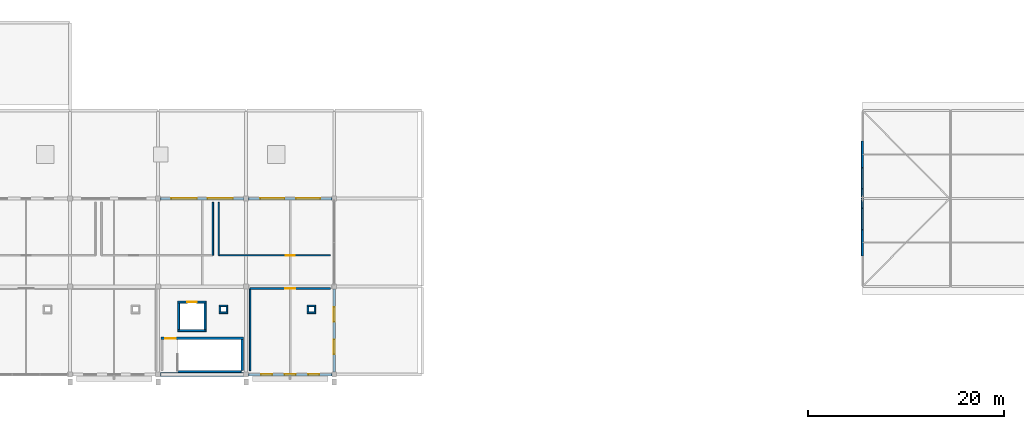
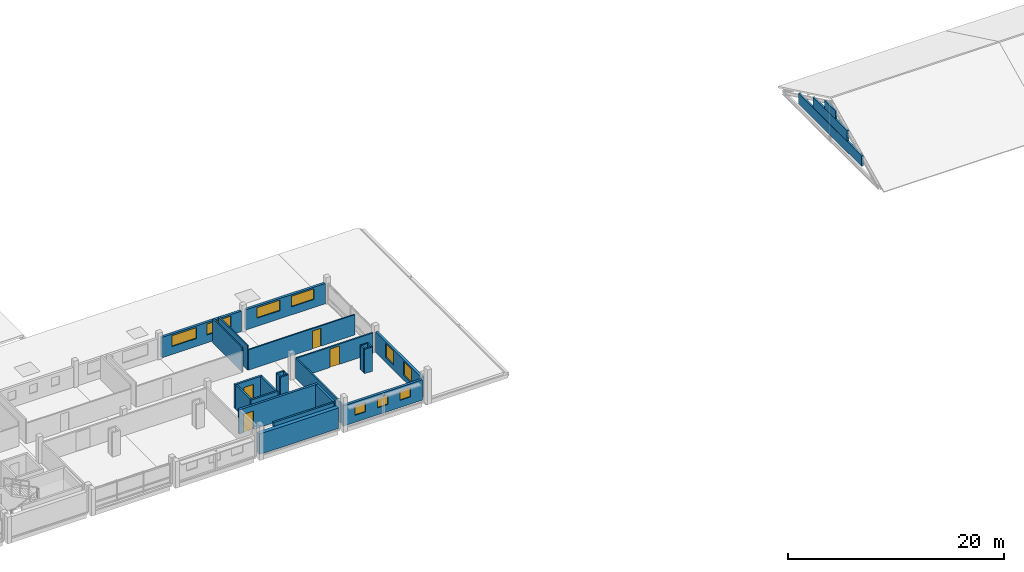
# One storey, part 21 of 25: 28 walls, 9 windows, 4 doors, 13 openings.
"""IFC4 building model written with IfcOpenShell, lengths in metres."""

import ifcopenshell
import ifcopenshell.guid

model = None  # the IFC model being written
_history = None  # IfcOwnerHistory: only IFC2X3 demands one
_inside = {}  # id of a spatial element -> (the spatial element, [elements in it])
_under = {}  # id of a project, library or spatial element -> (it, [spatial elements below it])
_declared = {}  # id of a project -> (the project, [libraries it declares])
_typed = {}  # id of a type object -> (the type object, [elements of that type])
_made_of = {}  # id of a material, layer set ... -> (it, [elements and type objects made of it])


def new_model(schema):
    """Start an empty IFC model of exactly this schema.

    Asked for "IFC4X3", IfcOpenShell would pick the latest addendum, in which some entities
    have other attributes; the version numbers below select the first issue.
    IFC2X3 requires an IfcOwnerHistory on every rooted entity: one is made here for all.
    """
    global model, _history
    if schema == "IFC4X3":
        model = ifcopenshell.file(schema_version=(4, 3, 0, 0))
    else:
        model = ifcopenshell.file(schema=schema)
    _inside.clear()
    _under.clear()
    _declared.clear()
    _typed.clear()
    _made_of.clear()
    _history = None
    if model.schema == "IFC2X3":
        org = make("IfcOrganization", Name="unknown")
        user = make(
            "IfcPersonAndOrganization",
            ThePerson=make("IfcPerson", FamilyName="unknown"),
            TheOrganization=org,
        )
        app = make(
            "IfcApplication",
            ApplicationDeveloper=org,
            Version="unknown",
            ApplicationFullName="unknown",
            ApplicationIdentifier="unknown",
        )
        _history = make(
            "IfcOwnerHistory",
            OwningUser=user,
            OwningApplication=app,
            ChangeAction="ADDED",
            CreationDate=0,
        )
    return model


def make(cls, **values):
    """One entity of the class cls with the attributes given. An attribute that is None is left unset."""
    return model.create_entity(
        cls, **{name: value for name, value in values.items() if value is not None}
    )


def rooted(cls, **values):
    """An entity with a GlobalId (a new one), such as an element, a storey or a relation."""
    return make(cls, GlobalId=ifcopenshell.guid.new(), OwnerHistory=_history, **values)


def si_unit(unit_type, name, prefix=None):
    """IfcSIUnit, for example si_unit("LENGTHUNIT", "METRE", prefix="MILLI")."""
    return make("IfcSIUnit", UnitType=unit_type, Prefix=prefix, Name=name)


def assignment(units):
    """IfcUnitAssignment: the units of a project."""
    return None if units is None else make("IfcUnitAssignment", Units=units)


def point(xyz):
    """IfcCartesianPoint."""
    return None if xyz is None else make("IfcCartesianPoint", Coordinates=xyz)


def direction(xyz):
    """IfcDirection."""
    return None if xyz is None else make("IfcDirection", DirectionRatios=xyz)


def frame(location, z_axis=None, x_axis=None):
    """IfcAxis2Placement3D, a coordinate frame: its origin and axes. An axis left out is left unset."""
    return make(
        "IfcAxis2Placement3D",
        Location=point(location),
        Axis=direction(z_axis),
        RefDirection=direction(x_axis),
    )


def frame_2d(location, x_axis=None):
    """IfcAxis2Placement2D, a coordinate frame in the plane: its origin and x axis."""
    return make(
        "IfcAxis2Placement2D", Location=point(location), RefDirection=direction(x_axis)
    )


def origin():
    """The frame at (0, 0, 0) with its axes left unset."""
    return frame((0.0, 0.0, 0.0))


def place(relative_to, where):
    """IfcLocalPlacement: puts the frame where relative to a parent placement (None: the world)."""
    return make(
        "IfcLocalPlacement", PlacementRelTo=relative_to, RelativePlacement=where
    )


def context(
    kind, dimensions, precision=None, world=None, true_north=None, identifier=None
):
    """IfcGeometricRepresentationContext, for example the 3D "Model" context."""
    return make(
        "IfcGeometricRepresentationContext",
        ContextIdentifier=identifier,
        ContextType=kind,
        CoordinateSpaceDimension=dimensions,
        Precision=precision,
        WorldCoordinateSystem=world,
        TrueNorth=true_north,
    )


def subcontext(parent, identifier, kind, view, scale=None):
    """IfcGeometricRepresentationSubContext, for example "Body" below "Model"."""
    return make(
        "IfcGeometricRepresentationSubContext",
        ContextIdentifier=identifier,
        ContextType=kind,
        ParentContext=parent,
        TargetScale=scale,
        TargetView=view,
    )


def project(units=None, contexts=None):
    """IfcProject with its units and contexts."""
    return rooted(
        "IfcProject",
        Name="project",
        RepresentationContexts=contexts,
        UnitsInContext=assignment(units),
    )


def spatial(cls, under=None, at=None, **own):
    """A site, building, storey or space (cls), placed at a placement, below another one or the project."""
    s = rooted(cls, ObjectPlacement=at, **own)
    if under is not None:
        _under.setdefault(under.id(), (under, []))[1].append(s)
    return s


def profile(cls, at=None, kind="AREA", **sizes):
    """A parametric profile (cls). Its sizes go by their IFC names, for example OverallWidth=200.0."""
    return make(cls, ProfileType=kind, Position=at, **sizes)


def rectangle(**sizes):
    """IfcRectangleProfileDef."""
    return profile("IfcRectangleProfileDef", **sizes)


def extrude(swept, where, along, depth):
    """IfcExtrudedAreaSolid: the profile swept, set in the frame where, extruded along a direction by depth."""
    return make(
        "IfcExtrudedAreaSolid",
        SweptArea=swept,
        Position=where,
        ExtrudedDirection=direction(along),
        Depth=depth,
    )


def shape(context_of_items, identifier, shape_type, items):
    """IfcShapeRepresentation: the items that make up one representation, for example the "Body"."""
    return make(
        "IfcShapeRepresentation",
        ContextOfItems=context_of_items,
        RepresentationIdentifier=identifier,
        RepresentationType=shape_type,
        Items=items,
    )


def material(Name=None, Category=None):
    """IfcMaterial."""
    return make("IfcMaterial", Name=Name, Category=Category)


def layer(
    of_material, thickness, ventilated=None, Name=None, Category=None, Priority=None
):
    """IfcMaterialLayer: one layer of a wall or slab, of a material (None: an air gap)."""
    return make(
        "IfcMaterialLayer",
        Material=of_material,
        LayerThickness=thickness,
        IsVentilated=ventilated,
        Name=Name,
        Category=Category,
        Priority=Priority,
    )


def layer_set(layers, Name=None):
    """IfcMaterialLayerSet."""
    return make("IfcMaterialLayerSet", MaterialLayers=layers, LayerSetName=Name)


def made_of(thing, what):
    """Note that an element or type object is made of a material, layer set ...; save() writes the relation."""
    if what is not None:
        _made_of.setdefault(what.id(), (what, []))[1].append(thing)
    return thing


def type_object(cls, material=None, **own):
    """A type object (cls), such as IfcWallType, which elements share."""
    return made_of(rooted(cls, **own), material)


def element(
    cls,
    number,
    at=None,
    inside=None,
    cuts=None,
    type_object=None,
    material=None,
    context=None,
    identifier="Body",
    shape_type=None,
    held_by="IfcProductDefinitionShape",
    body=None,
    shapes=None,
    **own,
):
    """One element of the class cls, such as IfcWall. Its Tag is "e" and its number.

    at: its placement. inside: the storey or other place that contains it. cuts: it is an
    opening in that element (IfcRelVoidsElement). A single representation is given by context,
    identifier, shape_type and body (its items); several are given by shapes. held_by: the class
    of the entity that holds the representations. save() writes the other relations.
    """
    e = rooted(cls, Tag="e%d" % number, ObjectPlacement=at, **own)
    if body is not None:
        shapes = [shape(context, identifier, shape_type, body)]
    if shapes is not None:
        e.Representation = make(held_by, Representations=shapes)
    if inside is not None:
        _inside.setdefault(inside.id(), (inside, []))[1].append(e)
    if cuts is not None:
        rooted(
            "IfcRelVoidsElement", RelatingBuildingElement=cuts, RelatedOpeningElement=e
        )
    if type_object is not None:
        _typed.setdefault(type_object.id(), (type_object, []))[1].append(e)
    return made_of(e, material)


def fill(opening, filler):
    """IfcRelFillsElement: the door or window that sits in an opening."""
    return rooted(
        "IfcRelFillsElement",
        RelatingOpeningElement=opening,
        RelatedBuildingElement=filler,
    )


def aggregate(whole, parts):
    """IfcRelAggregates: a whole, such as a stair, and the parts it consists of."""
    return rooted("IfcRelAggregates", RelatingObject=whole, RelatedObjects=parts)


def save(model, path):
    """Write the relations noted so far, then the file.

    IfcRelAggregates (storeys below a building ...), IfcRelContainedInSpatialStructure (elements
    in a storey), IfcRelDefinesByType, IfcRelAssociatesMaterial and IfcRelDeclares: one each for
    every whole, place, type object, material and project.
    """
    for whole, parts in _under.values():
        aggregate(whole, parts)
    for where, things in _inside.values():
        rooted(
            "IfcRelContainedInSpatialStructure",
            RelatedElements=things,
            RelatingStructure=where,
        )
    for kind, things in _typed.values():
        rooted("IfcRelDefinesByType", RelatedObjects=things, RelatingType=kind)
    for what, things in _made_of.values():
        rooted("IfcRelAssociatesMaterial", RelatedObjects=things, RelatingMaterial=what)
    for by, libraries in _declared.values():
        rooted("IfcRelDeclares", RelatingContext=by, RelatedDefinitions=libraries)
    model.write(path)


model = new_model("IFC4")

# Units and contexts
model_context = context("Model", 3, precision=1e-05, world=origin(), true_north=direction((0.0, 1.0)))
body_context = subcontext(model_context, "Body", "Model", "MODEL_VIEW")
ifc_project = project(units=[si_unit("LENGTHUNIT", "METRE"), si_unit("AREAUNIT", "SQUARE_METRE"), si_unit("VOLUMEUNIT", "CUBIC_METRE"), si_unit("PLANEANGLEUNIT", "RADIAN"), si_unit("MASSUNIT", "GRAM", prefix="KILO")], contexts=[model_context])

# Site, building, storey
site_placement = place(None, origin())
site = spatial("IfcSite", under=ifc_project, at=site_placement, CompositionType="ELEMENT")
building_placement = place(site_placement, origin())
building = spatial("IfcBuilding", under=site, at=building_placement, Name="Tharagai Park Tramway Depot", CompositionType="ELEMENT")
storey_placement = place(building_placement, frame((0.0, 0.0, 12.0)))
storey = spatial("IfcBuildingStorey", under=building, at=storey_placement, Name="L03", CompositionType="ELEMENT", Elevation=12.0)

# Wall, openings, windows
ifc_material_1 = material(Name="Pressed clay brick", Category="masonry")
ifc_layer_1 = layer(ifc_material_1, 0.260009765625)
ifc_layer_set_1 = layer_set([ifc_layer_1], Name="Pressed clay brick")
wall_type_1 = type_object("IfcWallType", Name="EW-05", PredefinedType="SOLIDWALL", material=ifc_layer_set_1)
wall_1_placement = place(storey_placement, frame((72.248046875, 0.0, 0.0), z_axis=(0.0, 0.0, 1.0), x_axis=(1.0, 0.0, 0.0)))
wall_1 = element("IfcWall", 1, at=wall_1_placement, inside=storey, type_object=wall_type_1, Name="L03 V4 Exterior Masonry Wall EW-05", PredefinedType="SOLIDWALL", context=body_context, shape_type="SweptSolid", body=[
    extrude(rectangle(XDim=8.50390625, YDim=0.260009765625, at=frame_2d((4.251953125, 0.0))), origin(), (0.0, 0.0, 1.0), 2.302001953125),
])
opening_1_placement = place(wall_1_placement, frame((1.285888671875, 0.0, 0.800048828125)))
opening_1 = element("IfcOpeningElement", 2, at=opening_1_placement, cuts=wall_1, Name="Opening WN-24", PredefinedType="OPENING", context=body_context, shape_type="SweptSolid", body=[
    extrude(rectangle(XDim=1.1201171875, YDim=1.080078125, at=frame_2d((0.56005859375, 0.5400390625))), frame((0.0, 0.139892578125, 0.0), z_axis=(0.0, -1.0, 0.0), x_axis=(1.0, 0.0, 0.0)), (0.0, 0.0, 1.0), 0.280029296875),
])
opening_2_placement = place(wall_1_placement, frame((3.69189453125, 0.0, 0.800048828125)))
opening_2 = element("IfcOpeningElement", 3, at=opening_2_placement, cuts=wall_1, Name="Opening WN-24", PredefinedType="OPENING", context=body_context, shape_type="SweptSolid", body=[
    extrude(rectangle(XDim=1.1201171875, YDim=1.080078125, at=frame_2d((0.56005859375, 0.5400390625))), frame((0.0, 0.139892578125, 0.0), z_axis=(0.0, -1.0, 0.0), x_axis=(1.0, 0.0, 0.0)), (0.0, 0.0, 1.0), 0.280029296875),
])
opening_3_placement = place(wall_1_placement, frame((6.097900390625, 0.0, 0.800048828125)))
opening_3 = element("IfcOpeningElement", 4, at=opening_3_placement, cuts=wall_1, Name="Opening WN-24", PredefinedType="OPENING", context=body_context, shape_type="SweptSolid", body=[
    extrude(rectangle(XDim=1.1201171875, YDim=1.080078125, at=frame_2d((0.56005859375, 0.5400390625))), frame((0.0, 0.139892578125, 0.0), z_axis=(0.0, -1.0, 0.0), x_axis=(1.0, 0.0, 0.0)), (0.0, 0.0, 1.0), 0.280029296875),
])
ifc_material_2 = material(Name="Laminated solar-control glass", Category="glass")
window_type_1 = type_object("IfcWindowType", Name="WN-24", PartitioningType="SINGLE_PANEL", PredefinedType="WINDOW", material=ifc_material_2)
window_1_placement = place(opening_1_placement, origin())
window_1 = element("IfcWindow", 5, at=window_1_placement, inside=storey, type_object=window_type_1, Name="L03 V4 Gothic Lancet Window WN-24", OverallHeight=1.080078125, OverallWidth=1.1201171875, PartitioningType="SINGLE_PANEL", PredefinedType="WINDOW", context=body_context, shape_type="SweptSolid", body=[
    extrude(rectangle(XDim=1.1201171875, YDim=1.080078125, at=frame_2d((0.56005859375, 0.5400390625))), frame((0.0, 0.030029296875, 0.0), z_axis=(0.0, -1.0, 0.0), x_axis=(1.0, 0.0, 0.0)), (0.0, 0.0, 1.0), 0.06005859375),
])
fill(opening_1, window_1)
window_2_placement = place(opening_2_placement, origin())
window_2 = element("IfcWindow", 6, at=window_2_placement, inside=storey, type_object=window_type_1, Name="L03 V4 Gothic Lancet Window WN-24", OverallHeight=1.080078125, OverallWidth=1.1201171875, PartitioningType="SINGLE_PANEL", PredefinedType="WINDOW", context=body_context, shape_type="SweptSolid", body=[
    extrude(rectangle(XDim=1.1201171875, YDim=1.080078125, at=frame_2d((0.56005859375, 0.5400390625))), frame((0.0, 0.030029296875, 0.0), z_axis=(0.0, -1.0, 0.0), x_axis=(1.0, 0.0, 0.0)), (0.0, 0.0, 1.0), 0.06005859375),
])
fill(opening_2, window_2)
window_3_placement = place(opening_3_placement, origin())
window_3 = element("IfcWindow", 7, at=window_3_placement, inside=storey, type_object=window_type_1, Name="L03 V4 Gothic Lancet Window WN-24", OverallHeight=1.080078125, OverallWidth=1.1201171875, PartitioningType="SINGLE_PANEL", PredefinedType="WINDOW", context=body_context, shape_type="SweptSolid", body=[
    extrude(rectangle(XDim=1.1201171875, YDim=1.080078125, at=frame_2d((0.56005859375, 0.5400390625))), frame((0.0, 0.030029296875, 0.0), z_axis=(0.0, -1.0, 0.0), x_axis=(1.0, 0.0, 0.0)), (0.0, 0.0, 1.0), 0.06005859375),
])
fill(opening_3, window_3)

wall_2_placement = place(storey_placement, frame((63.248046875, 18.0, 0.0), z_axis=(0.0, 0.0, 1.0), x_axis=(1.0, 0.0, 0.0)))
wall_2 = element("IfcWall", 8, at=wall_2_placement, inside=storey, type_object=wall_type_1, Name="L03 V4 Exterior Masonry Wall EW-05", PredefinedType="SOLIDWALL", context=body_context, shape_type="SweptSolid", body=[
    extrude(rectangle(XDim=8.50390625, YDim=0.260009765625, at=frame_2d((4.251953125, 0.0))), origin(), (0.0, 0.0, 1.0), 2.322021484375),
])
opening_4_placement = place(wall_2_placement, frame((1.10107421875, 0.0, 0.89990234375)))
opening_4 = element("IfcOpeningElement", 9, at=opening_4_placement, cuts=wall_2, Name="Opening WN-26", PredefinedType="OPENING", context=body_context, shape_type="SweptSolid", body=[
    extrude(rectangle(XDim=2.60009765625, YDim=1.239990234375, at=frame_2d((1.300048828125, 0.6201171875))), frame((0.0, 0.139892578125, 0.0), z_axis=(0.0, -1.0, 0.0), x_axis=(1.0, 0.0, 0.0)), (0.0, 0.0, 1.0), 0.280029296875),
])
opening_5_placement = place(wall_2_placement, frame((4.802978515625, 0.0, 0.89990234375)))
opening_5 = element("IfcOpeningElement", 10, at=opening_5_placement, cuts=wall_2, Name="Opening WN-26", PredefinedType="OPENING", context=body_context, shape_type="SweptSolid", body=[
    extrude(rectangle(XDim=2.60009765625, YDim=1.239990234375, at=frame_2d((1.300048828125, 0.6201171875))), frame((0.0, 0.139892578125, 0.0), z_axis=(0.0, -1.0, 0.0), x_axis=(1.0, 0.0, 0.0)), (0.0, 0.0, 1.0), 0.280029296875),
])
window_type_2 = type_object("IfcWindowType", Name="WN-26", PartitioningType="SINGLE_PANEL", PredefinedType="WINDOW", material=ifc_material_2)
window_4_placement = place(opening_4_placement, origin())
window_4 = element("IfcWindow", 11, at=window_4_placement, inside=storey, type_object=window_type_2, Name="L03 V4 Gothic Lancet Window WN-26", OverallHeight=1.239990234375, OverallWidth=2.60009765625, PartitioningType="SINGLE_PANEL", PredefinedType="WINDOW", context=body_context, shape_type="SweptSolid", body=[
    extrude(rectangle(XDim=2.60009765625, YDim=1.239990234375, at=frame_2d((1.300048828125, 0.6201171875))), frame((0.0, 0.030029296875, 0.0), z_axis=(0.0, -1.0, 0.0), x_axis=(1.0, 0.0, 0.0)), (0.0, 0.0, 1.0), 0.06005859375),
])
fill(opening_4, window_4)
window_5_placement = place(opening_5_placement, origin())
window_5 = element("IfcWindow", 12, at=window_5_placement, inside=storey, type_object=window_type_2, Name="L03 V4 Gothic Lancet Window WN-26", OverallHeight=1.239990234375, OverallWidth=2.60009765625, PartitioningType="SINGLE_PANEL", PredefinedType="WINDOW", context=body_context, shape_type="SweptSolid", body=[
    extrude(rectangle(XDim=2.60009765625, YDim=1.239990234375, at=frame_2d((1.300048828125, 0.6201171875))), frame((0.0, 0.030029296875, 0.0), z_axis=(0.0, -1.0, 0.0), x_axis=(1.0, 0.0, 0.0)), (0.0, 0.0, 1.0), 0.06005859375),
])
fill(opening_5, window_5)

wall_3_placement = place(storey_placement, frame((72.248046875, 18.0, 0.0), z_axis=(0.0, 0.0, 1.0), x_axis=(1.0, 0.0, 0.0)))
wall_3 = element("IfcWall", 13, at=wall_3_placement, inside=storey, type_object=wall_type_1, Name="L03 V4 Exterior Masonry Wall EW-05", PredefinedType="SOLIDWALL", context=body_context, shape_type="SweptSolid", body=[
    extrude(rectangle(XDim=8.50390625, YDim=0.260009765625, at=frame_2d((4.251953125, 0.0))), origin(), (0.0, 0.0, 1.0), 2.302001953125),
])
opening_6_placement = place(wall_3_placement, frame((1.200927734375, 0.0, 0.919921875)))
opening_6 = element("IfcOpeningElement", 14, at=opening_6_placement, cuts=wall_3, Name="Opening WN-02", PredefinedType="OPENING", context=body_context, shape_type="SweptSolid", body=[
    extrude(rectangle(XDim=2.449951171875, YDim=1.199951171875, at=frame_2d((1.22509765625, 0.60009765625))), frame((0.0, 0.139892578125, 0.0), z_axis=(0.0, -1.0, 0.0), x_axis=(1.0, 0.0, 0.0)), (0.0, 0.0, 1.0), 0.280029296875),
])
opening_7_placement = place(wall_3_placement, frame((4.85302734375, 0.0, 0.919921875)))
opening_7 = element("IfcOpeningElement", 15, at=opening_7_placement, cuts=wall_3, Name="Opening WN-02", PredefinedType="OPENING", context=body_context, shape_type="SweptSolid", body=[
    extrude(rectangle(XDim=2.449951171875, YDim=1.199951171875, at=frame_2d((1.22509765625, 0.60009765625))), frame((0.0, 0.139892578125, 0.0), z_axis=(0.0, -1.0, 0.0), x_axis=(1.0, 0.0, 0.0)), (0.0, 0.0, 1.0), 0.280029296875),
])
window_type_3 = type_object("IfcWindowType", Name="WN-02", PartitioningType="SINGLE_PANEL", PredefinedType="WINDOW", material=ifc_material_2)
window_6_placement = place(opening_6_placement, origin())
window_6 = element("IfcWindow", 16, at=window_6_placement, inside=storey, type_object=window_type_3, Name="L03 V4 Gothic Lancet Window WN-02", OverallHeight=1.199951171875, OverallWidth=2.449951171875, PartitioningType="SINGLE_PANEL", PredefinedType="WINDOW", context=body_context, shape_type="SweptSolid", body=[
    extrude(rectangle(XDim=2.449951171875, YDim=1.199951171875, at=frame_2d((1.22509765625, 0.60009765625))), frame((0.0, 0.030029296875, 0.0), z_axis=(0.0, -1.0, 0.0), x_axis=(1.0, 0.0, 0.0)), (0.0, 0.0, 1.0), 0.06005859375),
])
fill(opening_6, window_6)
window_7_placement = place(opening_7_placement, origin())
window_7 = element("IfcWindow", 17, at=window_7_placement, inside=storey, type_object=window_type_3, Name="L03 V4 Gothic Lancet Window WN-02", OverallHeight=1.199951171875, OverallWidth=2.449951171875, PartitioningType="SINGLE_PANEL", PredefinedType="WINDOW", context=body_context, shape_type="SweptSolid", body=[
    extrude(rectangle(XDim=2.449951171875, YDim=1.199951171875, at=frame_2d((1.22509765625, 0.60009765625))), frame((0.0, 0.030029296875, 0.0), z_axis=(0.0, -1.0, 0.0), x_axis=(1.0, 0.0, 0.0)), (0.0, 0.0, 1.0), 0.06005859375),
])
fill(opening_7, window_7)

wall_4_placement = place(storey_placement, frame((81.0, 0.248046875, 0.0), z_axis=(0.0, 0.0, 1.0), x_axis=(0.0, 1.0, 0.0)))
wall_4 = element("IfcWall", 18, at=wall_4_placement, inside=storey, type_object=wall_type_1, Name="L03 V4 Exterior Masonry Wall EW-05", PredefinedType="SOLIDWALL", context=body_context, shape_type="SweptSolid", body=[
    extrude(rectangle(XDim=8.50390625, YDim=0.260009765625, at=frame_2d((4.251953125, 0.0))), origin(), (0.0, 0.0, 1.0), 2.302001953125),
])
opening_8_placement = place(wall_4_placement, frame((1.847900390625, 0.0, 0.56005859375)))
opening_8 = element("IfcOpeningElement", 19, at=opening_8_placement, cuts=wall_4, Name="Opening WN-03", PredefinedType="OPENING", context=body_context, shape_type="SweptSolid", body=[
    extrude(rectangle(XDim=1.47998046875, YDim=1.56005859375, at=frame_2d((0.739990234375, 0.780029296875))), frame((0.0, 0.139892578125, 0.0), z_axis=(0.0, -1.0, 0.0), x_axis=(1.0, 0.0, 0.0)), (0.0, 0.0, 1.0), 0.280029296875),
])
opening_9_placement = place(wall_4_placement, frame((5.176025390625, 0.0, 0.56005859375)))
opening_9 = element("IfcOpeningElement", 20, at=opening_9_placement, cuts=wall_4, Name="Opening WN-03", PredefinedType="OPENING", context=body_context, shape_type="SweptSolid", body=[
    extrude(rectangle(XDim=1.47998046875, YDim=1.56005859375, at=frame_2d((0.739990234375, 0.780029296875))), frame((0.0, 0.139892578125, 0.0), z_axis=(0.0, -1.0, 0.0), x_axis=(1.0, 0.0, 0.0)), (0.0, 0.0, 1.0), 0.280029296875),
])
window_type_4 = type_object("IfcWindowType", Name="WN-03", PartitioningType="SINGLE_PANEL", PredefinedType="WINDOW", material=ifc_material_2)
window_8_placement = place(opening_8_placement, origin())
window_8 = element("IfcWindow", 21, at=window_8_placement, inside=storey, type_object=window_type_4, Name="L03 V4 Side Lancet Window WN-03", OverallHeight=1.56005859375, OverallWidth=1.47998046875, PartitioningType="SINGLE_PANEL", PredefinedType="WINDOW", context=body_context, shape_type="SweptSolid", body=[
    extrude(rectangle(XDim=1.47998046875, YDim=1.56005859375, at=frame_2d((0.739990234375, 0.780029296875))), frame((0.0, 0.030029296875, 0.0), z_axis=(0.0, -1.0, 0.0), x_axis=(1.0, 0.0, 0.0)), (0.0, 0.0, 1.0), 0.06005859375),
])
fill(opening_8, window_8)
window_9_placement = place(opening_9_placement, origin())
window_9 = element("IfcWindow", 22, at=window_9_placement, inside=storey, type_object=window_type_4, Name="L03 V4 Side Lancet Window WN-03", OverallHeight=1.56005859375, OverallWidth=1.47998046875, PartitioningType="SINGLE_PANEL", PredefinedType="WINDOW", context=body_context, shape_type="SweptSolid", body=[
    extrude(rectangle(XDim=1.47998046875, YDim=1.56005859375, at=frame_2d((0.739990234375, 0.780029296875))), frame((0.0, 0.030029296875, 0.0), z_axis=(0.0, -1.0, 0.0), x_axis=(1.0, 0.0, 0.0)), (0.0, 0.0, 1.0), 0.06005859375),
])
fill(opening_9, window_9)

# Walls
ifc_material_3 = material(Name="Charnockite stone", Category="masonry")
ifc_layer_2 = layer(ifc_material_3, 0.419921875)
ifc_layer_set_2 = layer_set([ifc_layer_2], Name="Charnockite stone")
wall_type_2 = type_object("IfcWallType", Name="EW-07", PredefinedType="SOLIDWALL", material=ifc_layer_set_2)
wall_5_placement = place(storey_placement, frame((63.248046875, 0.0, 0.0), z_axis=(0.0, 0.0, 1.0), x_axis=(1.0, 0.0, 0.0)))
element("IfcWall", 23, at=wall_5_placement, inside=storey, type_object=wall_type_2, Name="L03 V4 Exterior Masonry Wall EW-07", PredefinedType="SOLIDWALL", context=body_context, shape_type="SweptSolid", body=[
    extrude(rectangle(XDim=8.50390625, YDim=0.419921875, at=frame_2d((4.251953125, 0.0))), origin(), (0.0, 0.0, 1.0), 2.322021484375),
])
ifc_layer_3 = layer(ifc_material_1, 0.139892578125)
ifc_layer_set_3 = layer_set([ifc_layer_3], Name="Pressed clay brick")
wall_type_3 = type_object("IfcWallType", Name="IW-01", PredefinedType="PARTITIONING", material=ifc_layer_set_3)
wall_6_placement = place(storey_placement, frame((68.60009765625, 12.199951171875, 0.0), z_axis=(0.0, 0.0, 1.0), x_axis=(0.0, 1.0, 0.0)))
element("IfcWall", 24, at=wall_6_placement, inside=storey, type_object=wall_type_3, Name="Third Floor Female WC Partition East", PredefinedType="PARTITIONING", context=body_context, shape_type="SweptSolid", body=[
    extrude(rectangle(XDim=5.400146484375, YDim=0.139892578125, at=frame_2d((2.7001953125, 0.0))), origin(), (0.0, 0.0, 1.0), 2.75),
])

# Wall, opening, door
wall_7_placement = place(storey_placement, frame((69.199951171875, 12.199951171875, 0.0), z_axis=(0.0, 0.0, 1.0), x_axis=(1.0, 0.0, 0.0)))
wall_7 = element("IfcWall", 25, at=wall_7_placement, inside=storey, type_object=wall_type_3, Name="Third Floor Accessible WC Partition South", PredefinedType="PARTITIONING", context=body_context, shape_type="SweptSolid", body=[
    extrude(rectangle(XDim=11.400146484375, YDim=0.139892578125, at=frame_2d((5.7001953125, 0.0))), origin(), (0.0, 0.0, 1.0), 2.304931640625),
])
opening_10_placement = place(wall_7_placement, frame((6.844970703125, 0.0, 0.0)))
opening_10 = element("IfcOpeningElement", 26, at=opening_10_placement, cuts=wall_7, Name="Opening ID-08", PredefinedType="OPENING", context=body_context, shape_type="SweptSolid", body=[
    extrude(rectangle(XDim=0.909912109375, YDim=2.0400390625, at=frame_2d((0.455078125, 1.02001953125))), frame((0.0, 0.079833984375, 0.0), z_axis=(0.0, -1.0, 0.0), x_axis=(1.0, 0.0, 0.0)), (0.0, 0.0, 1.0), 0.159912109375),
])
ifc_material_4 = material(Name="Pressed timber", Category="wood")
door_type_1 = type_object("IfcDoorType", Name="ID-08", OperationType="NOTDEFINED", PredefinedType="DOOR", material=ifc_material_4)
door_1_placement = place(opening_10_placement, frame((0.909912109375, 0.0, 0.0), z_axis=(0.0, 0.0, 1.0), x_axis=(-1.0, 0.0, 0.0)))
door_1 = element("IfcDoor", 27, at=door_1_placement, inside=storey, type_object=door_type_1, Name="Third Floor Accessible WC Door", OperationType="SINGLE_SWING_RIGHT", OverallHeight=2.0400390625, OverallWidth=0.909912109375, PredefinedType="DOOR", context=body_context, shape_type="SweptSolid", body=[
    extrude(rectangle(XDim=0.909912109375, YDim=2.0400390625, at=frame_2d((0.455078125, 1.02001953125))), frame((0.0, 0.02490234375, 0.0), z_axis=(0.0, -1.0, 0.0), x_axis=(1.0, 0.0, 0.0)), (0.0, 0.0, 1.0), 0.050048828125),
])
fill(opening_10, door_1)

# Walls
wall_8_placement = place(storey_placement, frame((69.199951171875, 12.199951171875, 0.0), z_axis=(0.0, 0.0, 1.0), x_axis=(0.0, 1.0, 0.0)))
element("IfcWall", 28, at=wall_8_placement, inside=storey, type_object=wall_type_3, Name="Third Floor Accessible WC Partition West", PredefinedType="PARTITIONING", context=body_context, shape_type="SweptSolid", body=[
    extrude(rectangle(XDim=5.400146484375, YDim=0.139892578125, at=frame_2d((2.7001953125, 0.0))), origin(), (0.0, 0.0, 1.0), 2.75),
])
ifc_layer_4 = layer(ifc_material_1, 0.159912109375)
ifc_layer_set_4 = layer_set([ifc_layer_4], Name="Pressed clay brick")
wall_type_4 = type_object("IfcWallType", Name="IW-02", PredefinedType="PARTITIONING", material=ifc_layer_set_4)
for number, where, z_axis, x_axis, name in (
    (29, (69.239990234375, 6.320068359375, 0.0), (0.0, 0.0, 1.0), (1.0, 0.0, 0.0), "L03 Pipe Riser Enclosure Wall 57 S"),
    (30, (69.239990234375, 7.030029296875, 0.0), (0.0, 0.0, 1.0), (1.0, 0.0, 0.0), "L03 Pipe Riser Enclosure Wall 57 N"),
):
    element("IfcWall", number, at=place(storey_placement, frame(where, z_axis=z_axis, x_axis=x_axis)), inside=storey, type_object=wall_type_4, Name=name, PredefinedType="PARTITIONING", context=body_context, shape_type="SweptSolid", body=[
        extrude(rectangle(XDim=0.8701171875, YDim=0.159912109375, at=frame_2d((0.43505859375, 0.0))), origin(), (0.0, 0.0, 1.0), 2.75),
    ])
for number, where, z_axis, x_axis, name in (
    (31, (69.320068359375, 6.39990234375, 0.0), (0.0, 0.0, 1.0), (0.0, 1.0, 0.0), "L03 Pipe Riser Enclosure Wall 57 W"),
    (32, (70.030029296875, 6.39990234375, 0.0), (0.0, 0.0, 1.0), (0.0, 1.0, 0.0), "L03 Pipe Riser Enclosure Wall 57 E"),
):
    element("IfcWall", number, at=place(storey_placement, frame(where, z_axis=z_axis, x_axis=x_axis)), inside=storey, type_object=wall_type_4, Name=name, PredefinedType="PARTITIONING", context=body_context, shape_type="SweptSolid", body=[
        extrude(rectangle(XDim=0.550048828125, YDim=0.159912109375, at=frame_2d((0.27490234375, 0.0))), origin(), (0.0, 0.0, 1.0), 2.75),
    ])
for number, where, z_axis, x_axis, name in (
    (33, (78.239990234375, 6.320068359375, 0.0), (0.0, 0.0, 1.0), (1.0, 0.0, 0.0), "L03 Pipe Riser Enclosure Wall 58 S"),
    (34, (78.239990234375, 7.030029296875, 0.0), (0.0, 0.0, 1.0), (1.0, 0.0, 0.0), "L03 Pipe Riser Enclosure Wall 58 N"),
):
    element("IfcWall", number, at=place(storey_placement, frame(where, z_axis=z_axis, x_axis=x_axis)), inside=storey, type_object=wall_type_4, Name=name, PredefinedType="PARTITIONING", context=body_context, shape_type="SweptSolid", body=[
        extrude(rectangle(XDim=0.8701171875, YDim=0.159912109375, at=frame_2d((0.43505859375, 0.0))), origin(), (0.0, 0.0, 1.0), 2.75),
    ])
for number, where, z_axis, x_axis, name in (
    (35, (78.320068359375, 6.39990234375, 0.0), (0.0, 0.0, 1.0), (0.0, 1.0, 0.0), "L03 Pipe Riser Enclosure Wall 58 W"),
    (36, (79.030029296875, 6.39990234375, 0.0), (0.0, 0.0, 1.0), (0.0, 1.0, 0.0), "L03 Pipe Riser Enclosure Wall 58 E"),
):
    element("IfcWall", number, at=place(storey_placement, frame(where, z_axis=z_axis, x_axis=x_axis)), inside=storey, type_object=wall_type_4, Name=name, PredefinedType="PARTITIONING", context=body_context, shape_type="SweptSolid", body=[
        extrude(rectangle(XDim=0.550048828125, YDim=0.159912109375, at=frame_2d((0.27490234375, 0.0))), origin(), (0.0, 0.0, 1.0), 2.75),
    ])

# Wall, opening, door
wall_9_placement = place(storey_placement, frame((72.39990234375, 8.800048828125, 0.0), z_axis=(0.0, 0.0, 1.0), x_axis=(1.0, 0.0, 0.0)))
wall_9 = element("IfcWall", 37, at=wall_9_placement, inside=storey, type_object=wall_type_4, Name="Canteen Dry Provisions Store Partition North", PredefinedType="PARTITIONING", context=body_context, shape_type="SweptSolid", body=[
    extrude(rectangle(XDim=8.2001953125, YDim=0.159912109375, at=frame_2d((4.10009765625, 0.0))), origin(), (0.0, 0.0, 1.0), 2.304931640625),
])
opening_11_placement = place(wall_9_placement, frame((3.590087890625, 0.0, 0.0)))
opening_11 = element("IfcOpeningElement", 38, at=opening_11_placement, cuts=wall_9, Name="Opening ID-12", PredefinedType="OPENING", context=body_context, shape_type="SweptSolid", body=[
    extrude(rectangle(XDim=1.02001953125, YDim=2.10009765625, at=frame_2d((0.510009765625, 1.050048828125))), frame((0.0, 0.08984375, 0.0), z_axis=(0.0, -1.0, 0.0), x_axis=(1.0, 0.0, 0.0)), (0.0, 0.0, 1.0), 0.179931640625),
])
door_type_2 = type_object("IfcDoorType", Name="ID-12", OperationType="NOTDEFINED", PredefinedType="DOOR", material=ifc_material_4)
door_2_placement = place(opening_11_placement, origin())
door_2 = element("IfcDoor", 39, at=door_2_placement, inside=storey, type_object=door_type_2, Name="Canteen Dry Provisions Store Door", OperationType="SINGLE_SWING_LEFT", OverallHeight=2.10009765625, OverallWidth=1.02001953125, PredefinedType="DOOR", context=body_context, shape_type="SweptSolid", body=[
    extrude(rectangle(XDim=1.02001953125, YDim=2.10009765625, at=frame_2d((0.510009765625, 1.050048828125))), frame((0.0, 0.02490234375, 0.0), z_axis=(0.0, -1.0, 0.0), x_axis=(1.0, 0.0, 0.0)), (0.0, 0.0, 1.0), 0.050048828125),
])
fill(opening_11, door_2)

# Walls
wall_10_placement = place(storey_placement, frame((72.39990234375, 0.39990234375, 0.0), z_axis=(0.0, 0.0, 1.0), x_axis=(0.0, 1.0, 0.0)))
element("IfcWall", 40, at=wall_10_placement, inside=storey, type_object=wall_type_4, Name="Canteen Dry Provisions Store Partition West", PredefinedType="PARTITIONING", context=body_context, shape_type="SweptSolid", body=[
    extrude(rectangle(XDim=8.400146484375, YDim=0.159912109375, at=frame_2d((4.2001953125, 0.0))), origin(), (0.0, 0.0, 1.0), 2.304931640625),
])
ifc_layer_5 = layer(ifc_material_3, 0.199951171875)
ifc_layer_set_5 = layer_set([ifc_layer_5], Name="Charnockite stone")
wall_type_5 = type_object("IfcWallType", Name="PRW-01", PredefinedType="PARAPET", material=ifc_layer_set_5)
wall_11_placement = place(storey_placement, frame((135.0, 12.1298828125, 0.080078125), z_axis=(0.0, 0.0, 1.0), x_axis=(0.0, 1.0, 0.0)))
element("IfcWall", 41, at=wall_11_placement, inside=storey, type_object=wall_type_5, Name="V5 Gothic Gable Tympanum Parapet Course 1", PredefinedType="PARAPET", context=body_context, shape_type="SweptSolid", body=[
    extrude(rectangle(XDim=11.740234375, YDim=0.199951171875, at=frame_2d((5.8701171875, 0.0))), origin(), (0.0, 0.0, 1.0), 1.197998046875),
])
wall_12_placement = place(storey_placement, frame((135.0, 14.830078125, 1.318115234375), z_axis=(0.0, 0.0, 1.0), x_axis=(0.0, 1.0, 0.0)))
element("IfcWall", 42, at=wall_12_placement, inside=storey, type_object=wall_type_5, Name="V5 Gothic Gable Tympanum Parapet Course 2", PredefinedType="PARAPET", context=body_context, shape_type="SweptSolid", body=[
    extrude(rectangle(XDim=6.33984375, YDim=0.199951171875, at=frame_2d((3.169921875, 0.0))), origin(), (0.0, 0.0, 1.0), 1.157958984375),
])
wall_13_placement = place(storey_placement, frame((135.0, 16.989990234375, 2.514892578125), z_axis=(0.0, 0.0, 1.0), x_axis=(0.0, 1.0, 0.0)))
element("IfcWall", 43, at=wall_13_placement, inside=storey, type_object=wall_type_5, Name="V5 Gothic Gable Tympanum Parapet Course 3", PredefinedType="PARAPET", context=body_context, shape_type="SweptSolid", body=[
    extrude(rectangle(XDim=2.02001953125, YDim=0.199951171875, at=frame_2d((1.010009765625, 0.0))), origin(), (0.0, 0.0, 1.0), 0.919189453125),
])

# Wall, opening, door
ifc_material_5 = material(Name="Concrete M40", Category="concrete")
ifc_layer_6 = layer(ifc_material_5, 0.239990234375)
ifc_layer_set_6 = layer_set([ifc_layer_6], Name="Concrete M40")
wall_type_6 = type_object("IfcWallType", Name="SW-01", PredefinedType="SHEAR", material=ifc_layer_set_6)
wall_14_placement = place(storey_placement, frame((63.280029296875, 3.7099609375, 0.0), z_axis=(0.0, 0.0, 1.0), x_axis=(1.0, 0.0, 0.0)))
wall_14 = element("IfcWall", 44, at=wall_14_placement, inside=storey, type_object=wall_type_6, Name="Core C4 L03 Shear Wall North", PredefinedType="SHEAR", context=body_context, shape_type="SweptSolid", body=[
    extrude(rectangle(XDim=8.43994140625, YDim=0.239990234375, at=frame_2d((4.219970703125, 0.0))), origin(), (0.0, 0.0, 1.0), 2.75),
])
opening_12_placement = place(wall_14_placement, frame((0.4599609375, 0.0, 0.0)))
opening_12 = element("IfcOpeningElement", 45, at=opening_12_placement, cuts=wall_14, Name="Opening ID-05", PredefinedType="OPENING", context=body_context, shape_type="SweptSolid", body=[
    extrude(rectangle(XDim=1.080078125, YDim=2.080078125, at=frame_2d((0.5400390625, 1.0400390625))), frame((0.0, 0.1298828125, 0.0), z_axis=(0.0, -1.0, 0.0), x_axis=(1.0, 0.0, 0.0)), (0.0, 0.0, 1.0), 0.260009765625),
])
ifc_material_6 = material(Name="Galvanised steel", Category="steel")
door_type_3 = type_object("IfcDoorType", Name="ID-05", OperationType="NOTDEFINED", PredefinedType="DOOR", material=ifc_material_6)
door_3_placement = place(opening_12_placement, frame((1.080078125, 0.0, 0.0), z_axis=(0.0, 0.0, 1.0), x_axis=(-1.0, 0.0, 0.0)))
door_3 = element("IfcDoor", 46, at=door_3_placement, inside=storey, type_object=door_type_3, Name="Stair ST-04 L03 Fire Door", OperationType="SINGLE_SWING_LEFT", OverallHeight=2.080078125, OverallWidth=1.080078125, PredefinedType="DOOR", context=body_context, shape_type="SweptSolid", body=[
    extrude(rectangle(XDim=1.080078125, YDim=2.080078125, at=frame_2d((0.5400390625, 1.0400390625))), frame((0.0, 0.02490234375, 0.0), z_axis=(0.0, -1.0, 0.0), x_axis=(1.0, 0.0, 0.0)), (0.0, 0.0, 1.0), 0.050048828125),
])
fill(opening_12, door_3)

# Walls
wall_15_placement = place(storey_placement, frame((71.60009765625, 0.39990234375, 0.0), z_axis=(0.0, 0.0, 1.0), x_axis=(0.0, 1.0, 0.0)))
element("IfcWall", 47, at=wall_15_placement, inside=storey, type_object=wall_type_6, Name="Core C4 L03 Shear Wall East", PredefinedType="SHEAR", context=body_context, shape_type="SweptSolid", body=[
    extrude(rectangle(XDim=3.190185546875, YDim=0.239990234375, at=frame_2d((1.59521484375, 0.0))), origin(), (0.0, 0.0, 1.0), 2.75),
])
ifc_layer_7 = layer(ifc_material_5, 0.199951171875)
ifc_layer_set_7 = layer_set([ifc_layer_7], Name="Concrete M40")
wall_type_7 = type_object("IfcWallType", Name="SW-02", PredefinedType="SHEAR", material=ifc_layer_set_7)
wall_16_placement = place(storey_placement, frame((65.0400390625, 0.31494140625, 0.0), z_axis=(0.0, 0.0, 1.0), x_axis=(1.0, 0.0, 0.0)))
element("IfcWall", 48, at=wall_16_placement, inside=storey, type_object=wall_type_7, Name="Core C4 L03 Shear Bearing Liner South", PredefinedType="SHEAR", context=body_context, shape_type="SweptSolid", body=[
    extrude(rectangle(XDim=6.43994140625, YDim=0.199951171875, at=frame_2d((3.219970703125, 0.0))), origin(), (0.0, 0.0, 1.0), 2.75),
])
wall_17_placement = place(storey_placement, frame((65.0, 4.5, 0.0), z_axis=(0.0, 0.0, 1.0), x_axis=(1.0, 0.0, 0.0)))
element("IfcWall", 49, at=wall_17_placement, inside=storey, type_object=wall_type_7, Name="Lift LP-02 L03 Shaft Wall South", PredefinedType="SHEAR", context=body_context, shape_type="SweptSolid", body=[
    extrude(rectangle(XDim=2.89990234375, YDim=0.199951171875, at=frame_2d((1.449951171875, 0.0))), origin(), (0.0, 0.0, 1.0), 2.75),
])

# Wall, opening, door
wall_18_placement = place(storey_placement, frame((65.0, 7.39990234375, 0.0), z_axis=(0.0, 0.0, 1.0), x_axis=(1.0, 0.0, 0.0)))
wall_18 = element("IfcWall", 50, at=wall_18_placement, inside=storey, type_object=wall_type_7, Name="Lift LP-02 L03 Shaft Wall North", PredefinedType="SHEAR", context=body_context, shape_type="SweptSolid", body=[
    extrude(rectangle(XDim=2.89990234375, YDim=0.199951171875, at=frame_2d((1.449951171875, 0.0))), origin(), (0.0, 0.0, 1.0), 2.75),
])
opening_13_placement = place(wall_18_placement, frame((0.949951171875, 0.0, 0.0)))
opening_13 = element("IfcOpeningElement", 51, at=opening_13_placement, cuts=wall_18, Name="Opening LD-02", PredefinedType="OPENING", context=body_context, shape_type="SweptSolid", body=[
    extrude(rectangle(XDim=1.0, YDim=2.10009765625, at=frame_2d((0.5, 1.050048828125))), frame((0.0, 0.10986328125, 0.0), z_axis=(0.0, -1.0, 0.0), x_axis=(1.0, 0.0, 0.0)), (0.0, 0.0, 1.0), 0.219970703125),
])
ifc_material_7 = material(Name="Anodised aluminium", Category="aluminium")
door_type_4 = type_object("IfcDoorType", Name="LD-02", OperationType="SLIDING_TO_LEFT", PredefinedType="DOOR", material=ifc_material_7)
door_4_placement = place(opening_13_placement, origin())
door_4 = element("IfcDoor", 52, at=door_4_placement, inside=storey, type_object=door_type_4, Name="Lift LP-02 L03 Sliding Landing Door", OperationType="SLIDING_TO_LEFT", OverallHeight=2.10009765625, OverallWidth=1.0, PredefinedType="DOOR", context=body_context, shape_type="SweptSolid", body=[
    extrude(rectangle(XDim=1.0, YDim=2.10009765625, at=frame_2d((0.5, 1.050048828125))), frame((0.0, 0.02490234375, 0.0), z_axis=(0.0, -1.0, 0.0), x_axis=(1.0, 0.0, 0.0)), (0.0, 0.0, 1.0), 0.050048828125),
])
fill(opening_13, door_4)

# Walls
for number, where, z_axis, x_axis, name in (
    (53, (65.10009765625, 4.60009765625, 0.0), (0.0, 0.0, 1.0), (0.0, 1.0, 0.0), "Lift LP-02 L03 Shaft Wall West"),
    (54, (67.800048828125, 4.60009765625, 0.0), (0.0, 0.0, 1.0), (0.0, 1.0, 0.0), "Lift LP-02 L03 Shaft Wall East"),
):
    element("IfcWall", number, at=place(storey_placement, frame(where, z_axis=z_axis, x_axis=x_axis)), inside=storey, type_object=wall_type_7, Name=name, PredefinedType="SHEAR", context=body_context, shape_type="SweptSolid", body=[
        extrude(rectangle(XDim=2.699951171875, YDim=0.199951171875, at=frame_2d((1.35009765625, 0.0))), origin(), (0.0, 0.0, 1.0), 2.75),
    ])

save(model, "model.ifc")
